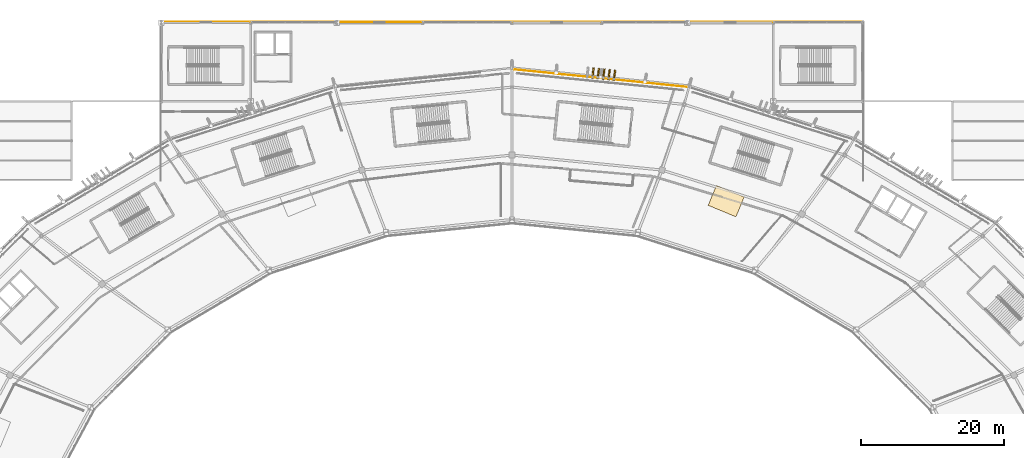
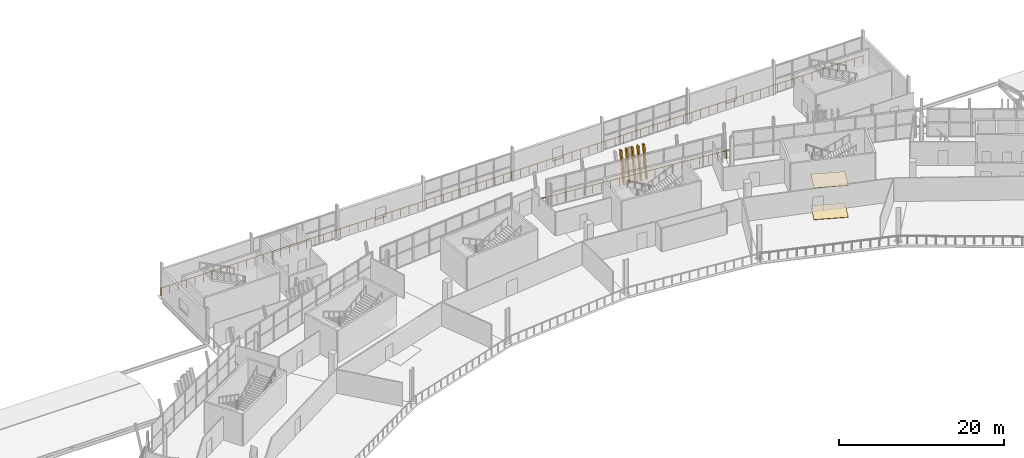
# One storey, part 177 of 179: 5 shading devices, 2 coverings, 2 railings.
"""IFC4 building model written with IfcOpenShell, lengths in metres."""

from ifc_helpers import new_model, si_unit, direction, frame, origin, origin_2d, place, context, subcontext, project, spatial, polyline, rectangle, outline, extrude, material, layer, layer_set, material_profile, profile_set, type_object, element, save


model = new_model("IFC4")

# Units and contexts
model_context = context("Model", 3, precision=1e-05, world=origin(), true_north=direction((0.0, 1.0)))
body_context = subcontext(model_context, "Body", "Model", "MODEL_VIEW")
ifc_project = project(units=[si_unit("LENGTHUNIT", "METRE"), si_unit("AREAUNIT", "SQUARE_METRE"), si_unit("VOLUMEUNIT", "CUBIC_METRE"), si_unit("PLANEANGLEUNIT", "RADIAN"), si_unit("MASSUNIT", "GRAM", prefix="KILO")], contexts=[model_context])

# Site, building, storey
site_placement = place(None, origin())
site = spatial("IfcSite", under=ifc_project, at=site_placement, CompositionType="ELEMENT")
building_placement = place(site_placement, origin())
building = spatial("IfcBuilding", under=site, at=building_placement, Name="Zlatoyarsky Gate Stadium", CompositionType="ELEMENT")
storey_placement = place(building_placement, frame((0.0, 0.0, 10.60009765625)))
storey = spatial("IfcBuildingStorey", under=building, at=storey_placement, Name="L02", CompositionType="ELEMENT", Elevation=10.60009765625)

# Railings
ifc_material_1 = material(Name="Powder-coated steel tubular guardrail", Category="steel")
railing_type = type_object("IfcRailingType", Name="CONCOURSE SLAB EDGE GUARDRAIL 1200", PredefinedType="GUARDRAIL", material=ifc_material_1)
railing_1_placement = place(storey_placement, frame((135.71630859375, 150.99169921875, 0.0)))
element("IfcRailing", 1, at=railing_1_placement, inside=storey, type_object=railing_type, Name="L02 outer slab edge guardrail 05", PredefinedType="GUARDRAIL", context=body_context, shape_type="SweptSolid", body=[
    extrude(rectangle(XDim=0.048095703125, YDim=0.048095703125, at=origin_2d()), frame((0.0, 0.0, 1.17578125), z_axis=(-0.994906741175, 0.10079968435, 0.0), x_axis=(-0.10079968435, -0.994906741175, 0.0)), (0.0, 0.0, 1.0), 24.8427734375),
    extrude(rectangle(XDim=0.0419921875, YDim=0.0419921875, at=origin_2d()), origin(), (0.0, 0.0, 1.0), 1.15185546875),
    extrude(rectangle(XDim=0.0419921875, YDim=0.0419921875, at=origin_2d()), frame((-1.177001953125, 0.119140625, 0.0)), (0.0, 0.0, 1.0), 1.15185546875),
    extrude(rectangle(XDim=0.0419921875, YDim=0.0419921875, at=origin_2d()), frame((-2.35400390625, 0.238525390625, 0.0)), (0.0, 0.0, 1.0), 1.15185546875),
    extrude(rectangle(XDim=0.0419921875, YDim=0.0419921875, at=origin_2d()), frame((-3.531005859375, 0.357666015625, 0.0)), (0.0, 0.0, 1.0), 1.15185546875),
    extrude(rectangle(XDim=0.0419921875, YDim=0.0419921875, at=origin_2d()), frame((-4.707763671875, 0.47705078125, 0.0)), (0.0, 0.0, 1.0), 1.15185546875),
    extrude(rectangle(XDim=0.0419921875, YDim=0.0419921875, at=origin_2d()), frame((-5.884765625, 0.59619140625, 0.0)), (0.0, 0.0, 1.0), 1.15185546875),
    extrude(rectangle(XDim=0.0419921875, YDim=0.0419921875, at=origin_2d()), frame((-7.061767578125, 0.715576171875, 0.0)), (0.0, 0.0, 1.0), 1.15185546875),
    extrude(rectangle(XDim=0.0419921875, YDim=0.0419921875, at=origin_2d()), frame((-8.23876953125, 0.834716796875, 0.0)), (0.0, 0.0, 1.0), 1.15185546875),
    extrude(rectangle(XDim=0.0419921875, YDim=0.0419921875, at=origin_2d()), frame((-9.415771484375, 0.953857421875, 0.0)), (0.0, 0.0, 1.0), 1.15185546875),
    extrude(rectangle(XDim=0.0419921875, YDim=0.0419921875, at=origin_2d()), frame((-10.5927734375, 1.0732421875, 0.0)), (0.0, 0.0, 1.0), 1.15185546875),
    extrude(rectangle(XDim=0.0419921875, YDim=0.0419921875, at=origin_2d()), frame((-11.769775390625, 1.1923828125, 0.0)), (0.0, 0.0, 1.0), 1.15185546875),
    extrude(rectangle(XDim=0.0419921875, YDim=0.0419921875, at=origin_2d()), frame((-12.946533203125, 1.311767578125, 0.0)), (0.0, 0.0, 1.0), 1.15185546875),
    extrude(rectangle(XDim=0.0419921875, YDim=0.0419921875, at=origin_2d()), frame((-14.12353515625, 1.430908203125, 0.0)), (0.0, 0.0, 1.0), 1.15185546875),
    extrude(rectangle(XDim=0.0419921875, YDim=0.0419921875, at=origin_2d()), frame((-15.300537109375, 1.55029296875, 0.0)), (0.0, 0.0, 1.0), 1.15185546875),
    extrude(rectangle(XDim=0.0419921875, YDim=0.0419921875, at=origin_2d()), frame((-16.4775390625, 1.66943359375, 0.0)), (0.0, 0.0, 1.0), 1.15185546875),
    extrude(rectangle(XDim=0.0419921875, YDim=0.0419921875, at=origin_2d()), frame((-17.654541015625, 1.78857421875, 0.0)), (0.0, 0.0, 1.0), 1.15185546875),
    extrude(rectangle(XDim=0.0419921875, YDim=0.0419921875, at=origin_2d()), frame((-18.83154296875, 1.907958984375, 0.0)), (0.0, 0.0, 1.0), 1.15185546875),
    extrude(rectangle(XDim=0.0419921875, YDim=0.0419921875, at=origin_2d()), frame((-20.008544921875, 2.027099609375, 0.0)), (0.0, 0.0, 1.0), 1.15185546875),
    extrude(rectangle(XDim=0.0419921875, YDim=0.0419921875, at=origin_2d()), frame((-21.185302734375, 2.146484375, 0.0)), (0.0, 0.0, 1.0), 1.15185546875),
    extrude(rectangle(XDim=0.0419921875, YDim=0.0419921875, at=origin_2d()), frame((-22.3623046875, 2.265625, 0.0)), (0.0, 0.0, 1.0), 1.15185546875),
    extrude(rectangle(XDim=0.0419921875, YDim=0.0419921875, at=origin_2d()), frame((-23.539306640625, 2.385009765625, 0.0)), (0.0, 0.0, 1.0), 1.15185546875),
    extrude(rectangle(XDim=0.0419921875, YDim=0.0419921875, at=origin_2d()), frame((-24.71630859375, 2.504150390625, 0.0)), (0.0, 0.0, 1.0), 1.15185546875),
])
railing_2_placement = place(storey_placement, frame((61.919921875, 160.080078125, 0.0)))
element("IfcRailing", 2, at=railing_2_placement, inside=storey, type_object=railing_type, Name="V2_NORTH L02 N slab edge guardrail", PredefinedType="GUARDRAIL", context=body_context, shape_type="SweptSolid", body=[
    extrude(rectangle(XDim=0.048095703125, YDim=0.048095703125, at=origin_2d()), frame((0.0, 0.0, 1.17578125), z_axis=(1.0, 0.0, 0.0), x_axis=(0.0, 1.0, 0.0)), (0.0, 0.0, 1.0), 98.16015625),
    extrude(rectangle(XDim=0.0419921875, YDim=0.0419921875, at=origin_2d()), origin(), (0.0, 0.0, 1.0), 1.15185546875),
    extrude(rectangle(XDim=0.0419921875, YDim=0.0419921875, at=origin_2d()), frame((1.197021484375, 0.0, 0.0)), (0.0, 0.0, 1.0), 1.15185546875),
    extrude(rectangle(XDim=0.0419921875, YDim=0.0419921875, at=origin_2d()), frame((2.39404296875, 0.0, 0.0)), (0.0, 0.0, 1.0), 1.15185546875),
    extrude(rectangle(XDim=0.0419921875, YDim=0.0419921875, at=origin_2d()), frame((3.59130859375, 0.0, 0.0)), (0.0, 0.0, 1.0), 1.15185546875),
    extrude(rectangle(XDim=0.0419921875, YDim=0.0419921875, at=origin_2d()), frame((4.788330078125, 0.0, 0.0)), (0.0, 0.0, 1.0), 1.15185546875),
    extrude(rectangle(XDim=0.0419921875, YDim=0.0419921875, at=origin_2d()), frame((5.9853515625, 0.0, 0.0)), (0.0, 0.0, 1.0), 1.15185546875),
    extrude(rectangle(XDim=0.0419921875, YDim=0.0419921875, at=origin_2d()), frame((7.182373046875, 0.0, 0.0)), (0.0, 0.0, 1.0), 1.15185546875),
    extrude(rectangle(XDim=0.0419921875, YDim=0.0419921875, at=origin_2d()), frame((8.379638671875, 0.0, 0.0)), (0.0, 0.0, 1.0), 1.15185546875),
    extrude(rectangle(XDim=0.0419921875, YDim=0.0419921875, at=origin_2d()), frame((9.57666015625, 0.0, 0.0)), (0.0, 0.0, 1.0), 1.15185546875),
    extrude(rectangle(XDim=0.0419921875, YDim=0.0419921875, at=origin_2d()), frame((10.773681640625, 0.0, 0.0)), (0.0, 0.0, 1.0), 1.15185546875),
    extrude(rectangle(XDim=0.0419921875, YDim=0.0419921875, at=origin_2d()), frame((11.970703125, 0.0, 0.0)), (0.0, 0.0, 1.0), 1.15185546875),
    extrude(rectangle(XDim=0.0419921875, YDim=0.0419921875, at=origin_2d()), frame((13.167724609375, 0.0, 0.0)), (0.0, 0.0, 1.0), 1.15185546875),
    extrude(rectangle(XDim=0.0419921875, YDim=0.0419921875, at=origin_2d()), frame((14.364990234375, 0.0, 0.0)), (0.0, 0.0, 1.0), 1.15185546875),
    extrude(rectangle(XDim=0.0419921875, YDim=0.0419921875, at=origin_2d()), frame((15.56201171875, 0.0, 0.0)), (0.0, 0.0, 1.0), 1.15185546875),
    extrude(rectangle(XDim=0.0419921875, YDim=0.0419921875, at=origin_2d()), frame((16.759033203125, 0.0, 0.0)), (0.0, 0.0, 1.0), 1.15185546875),
    extrude(rectangle(XDim=0.0419921875, YDim=0.0419921875, at=origin_2d()), frame((17.9560546875, 0.0, 0.0)), (0.0, 0.0, 1.0), 1.15185546875),
    extrude(rectangle(XDim=0.0419921875, YDim=0.0419921875, at=origin_2d()), frame((19.1533203125, 0.0, 0.0)), (0.0, 0.0, 1.0), 1.15185546875),
    extrude(rectangle(XDim=0.0419921875, YDim=0.0419921875, at=origin_2d()), frame((20.350341796875, 0.0, 0.0)), (0.0, 0.0, 1.0), 1.15185546875),
    extrude(rectangle(XDim=0.0419921875, YDim=0.0419921875, at=origin_2d()), frame((21.54736328125, 0.0, 0.0)), (0.0, 0.0, 1.0), 1.15185546875),
    extrude(rectangle(XDim=0.0419921875, YDim=0.0419921875, at=origin_2d()), frame((22.744384765625, 0.0, 0.0)), (0.0, 0.0, 1.0), 1.15185546875),
    extrude(rectangle(XDim=0.0419921875, YDim=0.0419921875, at=origin_2d()), frame((23.94140625, 0.0, 0.0)), (0.0, 0.0, 1.0), 1.15185546875),
    extrude(rectangle(XDim=0.0419921875, YDim=0.0419921875, at=origin_2d()), frame((25.138671875, 0.0, 0.0)), (0.0, 0.0, 1.0), 1.15185546875),
    extrude(rectangle(XDim=0.0419921875, YDim=0.0419921875, at=origin_2d()), frame((26.335693359375, 0.0, 0.0)), (0.0, 0.0, 1.0), 1.15185546875),
    extrude(rectangle(XDim=0.0419921875, YDim=0.0419921875, at=origin_2d()), frame((27.53271484375, 0.0, 0.0)), (0.0, 0.0, 1.0), 1.15185546875),
    extrude(rectangle(XDim=0.0419921875, YDim=0.0419921875, at=origin_2d()), frame((28.729736328125, 0.0, 0.0)), (0.0, 0.0, 1.0), 1.15185546875),
    extrude(rectangle(XDim=0.0419921875, YDim=0.0419921875, at=origin_2d()), frame((29.9267578125, 0.0, 0.0)), (0.0, 0.0, 1.0), 1.15185546875),
    extrude(rectangle(XDim=0.0419921875, YDim=0.0419921875, at=origin_2d()), frame((31.1240234375, 0.0, 0.0)), (0.0, 0.0, 1.0), 1.15185546875),
    extrude(rectangle(XDim=0.0419921875, YDim=0.0419921875, at=origin_2d()), frame((32.321044921875, 0.0, 0.0)), (0.0, 0.0, 1.0), 1.15185546875),
    extrude(rectangle(XDim=0.0419921875, YDim=0.0419921875, at=origin_2d()), frame((33.51806640625, 0.0, 0.0)), (0.0, 0.0, 1.0), 1.15185546875),
    extrude(rectangle(XDim=0.0419921875, YDim=0.0419921875, at=origin_2d()), frame((34.715087890625, 0.0, 0.0)), (0.0, 0.0, 1.0), 1.15185546875),
    extrude(rectangle(XDim=0.0419921875, YDim=0.0419921875, at=origin_2d()), frame((35.912353515625, 0.0, 0.0)), (0.0, 0.0, 1.0), 1.15185546875),
    extrude(rectangle(XDim=0.0419921875, YDim=0.0419921875, at=origin_2d()), frame((37.109375, 0.0, 0.0)), (0.0, 0.0, 1.0), 1.15185546875),
    extrude(rectangle(XDim=0.0419921875, YDim=0.0419921875, at=origin_2d()), frame((38.306396484375, 0.0, 0.0)), (0.0, 0.0, 1.0), 1.15185546875),
    extrude(rectangle(XDim=0.0419921875, YDim=0.0419921875, at=origin_2d()), frame((39.50341796875, 0.0, 0.0)), (0.0, 0.0, 1.0), 1.15185546875),
    extrude(rectangle(XDim=0.0419921875, YDim=0.0419921875, at=origin_2d()), frame((40.700439453125, 0.0, 0.0)), (0.0, 0.0, 1.0), 1.15185546875),
    extrude(rectangle(XDim=0.0419921875, YDim=0.0419921875, at=origin_2d()), frame((41.897705078125, 0.0, 0.0)), (0.0, 0.0, 1.0), 1.15185546875),
    extrude(rectangle(XDim=0.0419921875, YDim=0.0419921875, at=origin_2d()), frame((43.0947265625, 0.0, 0.0)), (0.0, 0.0, 1.0), 1.15185546875),
    extrude(rectangle(XDim=0.0419921875, YDim=0.0419921875, at=origin_2d()), frame((44.291748046875, 0.0, 0.0)), (0.0, 0.0, 1.0), 1.15185546875),
    extrude(rectangle(XDim=0.0419921875, YDim=0.0419921875, at=origin_2d()), frame((45.48876953125, 0.0, 0.0)), (0.0, 0.0, 1.0), 1.15185546875),
    extrude(rectangle(XDim=0.0419921875, YDim=0.0419921875, at=origin_2d()), frame((46.68603515625, 0.0, 0.0)), (0.0, 0.0, 1.0), 1.15185546875),
    extrude(rectangle(XDim=0.0419921875, YDim=0.0419921875, at=origin_2d()), frame((47.883056640625, 0.0, 0.0)), (0.0, 0.0, 1.0), 1.15185546875),
    extrude(rectangle(XDim=0.0419921875, YDim=0.0419921875, at=origin_2d()), frame((49.080078125, 0.0, 0.0)), (0.0, 0.0, 1.0), 1.15185546875),
    extrude(rectangle(XDim=0.0419921875, YDim=0.0419921875, at=origin_2d()), frame((50.277099609375, 0.0, 0.0)), (0.0, 0.0, 1.0), 1.15185546875),
    extrude(rectangle(XDim=0.0419921875, YDim=0.0419921875, at=origin_2d()), frame((51.47412109375, 0.0, 0.0)), (0.0, 0.0, 1.0), 1.15185546875),
    extrude(rectangle(XDim=0.0419921875, YDim=0.0419921875, at=origin_2d()), frame((52.67138671875, 0.0, 0.0)), (0.0, 0.0, 1.0), 1.15185546875),
    extrude(rectangle(XDim=0.0419921875, YDim=0.0419921875, at=origin_2d()), frame((53.868408203125, 0.0, 0.0)), (0.0, 0.0, 1.0), 1.15185546875),
    extrude(rectangle(XDim=0.0419921875, YDim=0.0419921875, at=origin_2d()), frame((55.0654296875, 0.0, 0.0)), (0.0, 0.0, 1.0), 1.15185546875),
    extrude(rectangle(XDim=0.0419921875, YDim=0.0419921875, at=origin_2d()), frame((56.262451171875, 0.0, 0.0)), (0.0, 0.0, 1.0), 1.15185546875),
    extrude(rectangle(XDim=0.0419921875, YDim=0.0419921875, at=origin_2d()), frame((57.459716796875, 0.0, 0.0)), (0.0, 0.0, 1.0), 1.15185546875),
    extrude(rectangle(XDim=0.0419921875, YDim=0.0419921875, at=origin_2d()), frame((58.65673828125, 0.0, 0.0)), (0.0, 0.0, 1.0), 1.15185546875),
    extrude(rectangle(XDim=0.0419921875, YDim=0.0419921875, at=origin_2d()), frame((59.853759765625, 0.0, 0.0)), (0.0, 0.0, 1.0), 1.15185546875),
    extrude(rectangle(XDim=0.0419921875, YDim=0.0419921875, at=origin_2d()), frame((61.05078125, 0.0, 0.0)), (0.0, 0.0, 1.0), 1.15185546875),
    extrude(rectangle(XDim=0.0419921875, YDim=0.0419921875, at=origin_2d()), frame((62.247802734375, 0.0, 0.0)), (0.0, 0.0, 1.0), 1.15185546875),
    extrude(rectangle(XDim=0.0419921875, YDim=0.0419921875, at=origin_2d()), frame((63.445068359375, 0.0, 0.0)), (0.0, 0.0, 1.0), 1.15185546875),
    extrude(rectangle(XDim=0.0419921875, YDim=0.0419921875, at=origin_2d()), frame((64.64208984375, 0.0, 0.0)), (0.0, 0.0, 1.0), 1.15185546875),
    extrude(rectangle(XDim=0.0419921875, YDim=0.0419921875, at=origin_2d()), frame((65.839111328125, 0.0, 0.0)), (0.0, 0.0, 1.0), 1.15185546875),
    extrude(rectangle(XDim=0.0419921875, YDim=0.0419921875, at=origin_2d()), frame((67.0361328125, 0.0, 0.0)), (0.0, 0.0, 1.0), 1.15185546875),
    extrude(rectangle(XDim=0.0419921875, YDim=0.0419921875, at=origin_2d()), frame((68.2333984375, 0.0, 0.0)), (0.0, 0.0, 1.0), 1.15185546875),
    extrude(rectangle(XDim=0.0419921875, YDim=0.0419921875, at=origin_2d()), frame((69.430419921875, 0.0, 0.0)), (0.0, 0.0, 1.0), 1.15185546875),
    extrude(rectangle(XDim=0.0419921875, YDim=0.0419921875, at=origin_2d()), frame((70.62744140625, 0.0, 0.0)), (0.0, 0.0, 1.0), 1.15185546875),
    extrude(rectangle(XDim=0.0419921875, YDim=0.0419921875, at=origin_2d()), frame((71.824462890625, 0.0, 0.0)), (0.0, 0.0, 1.0), 1.15185546875),
    extrude(rectangle(XDim=0.0419921875, YDim=0.0419921875, at=origin_2d()), frame((73.021484375, 0.0, 0.0)), (0.0, 0.0, 1.0), 1.15185546875),
    extrude(rectangle(XDim=0.0419921875, YDim=0.0419921875, at=origin_2d()), frame((74.21875, 0.0, 0.0)), (0.0, 0.0, 1.0), 1.15185546875),
    extrude(rectangle(XDim=0.0419921875, YDim=0.0419921875, at=origin_2d()), frame((75.415771484375, 0.0, 0.0)), (0.0, 0.0, 1.0), 1.15185546875),
    extrude(rectangle(XDim=0.0419921875, YDim=0.0419921875, at=origin_2d()), frame((76.61279296875, 0.0, 0.0)), (0.0, 0.0, 1.0), 1.15185546875),
    extrude(rectangle(XDim=0.0419921875, YDim=0.0419921875, at=origin_2d()), frame((77.809814453125, 0.0, 0.0)), (0.0, 0.0, 1.0), 1.15185546875),
    extrude(rectangle(XDim=0.0419921875, YDim=0.0419921875, at=origin_2d()), frame((79.0068359375, 0.0, 0.0)), (0.0, 0.0, 1.0), 1.15185546875),
    extrude(rectangle(XDim=0.0419921875, YDim=0.0419921875, at=origin_2d()), frame((80.2041015625, 0.0, 0.0)), (0.0, 0.0, 1.0), 1.15185546875),
    extrude(rectangle(XDim=0.0419921875, YDim=0.0419921875, at=origin_2d()), frame((81.401123046875, 0.0, 0.0)), (0.0, 0.0, 1.0), 1.15185546875),
    extrude(rectangle(XDim=0.0419921875, YDim=0.0419921875, at=origin_2d()), frame((82.59814453125, 0.0, 0.0)), (0.0, 0.0, 1.0), 1.15185546875),
    extrude(rectangle(XDim=0.0419921875, YDim=0.0419921875, at=origin_2d()), frame((83.795166015625, 0.0, 0.0)), (0.0, 0.0, 1.0), 1.15185546875),
    extrude(rectangle(XDim=0.0419921875, YDim=0.0419921875, at=origin_2d()), frame((84.992431640625, 0.0, 0.0)), (0.0, 0.0, 1.0), 1.15185546875),
    extrude(rectangle(XDim=0.0419921875, YDim=0.0419921875, at=origin_2d()), frame((86.189453125, 0.0, 0.0)), (0.0, 0.0, 1.0), 1.15185546875),
    extrude(rectangle(XDim=0.0419921875, YDim=0.0419921875, at=origin_2d()), frame((87.386474609375, 0.0, 0.0)), (0.0, 0.0, 1.0), 1.15185546875),
    extrude(rectangle(XDim=0.0419921875, YDim=0.0419921875, at=origin_2d()), frame((88.58349609375, 0.0, 0.0)), (0.0, 0.0, 1.0), 1.15185546875),
    extrude(rectangle(XDim=0.0419921875, YDim=0.0419921875, at=origin_2d()), frame((89.780517578125, 0.0, 0.0)), (0.0, 0.0, 1.0), 1.15185546875),
    extrude(rectangle(XDim=0.0419921875, YDim=0.0419921875, at=origin_2d()), frame((90.977783203125, 0.0, 0.0)), (0.0, 0.0, 1.0), 1.15185546875),
    extrude(rectangle(XDim=0.0419921875, YDim=0.0419921875, at=origin_2d()), frame((92.1748046875, 0.0, 0.0)), (0.0, 0.0, 1.0), 1.15185546875),
    extrude(rectangle(XDim=0.0419921875, YDim=0.0419921875, at=origin_2d()), frame((93.371826171875, 0.0, 0.0)), (0.0, 0.0, 1.0), 1.15185546875),
    extrude(rectangle(XDim=0.0419921875, YDim=0.0419921875, at=origin_2d()), frame((94.56884765625, 0.0, 0.0)), (0.0, 0.0, 1.0), 1.15185546875),
    extrude(rectangle(XDim=0.0419921875, YDim=0.0419921875, at=origin_2d()), frame((95.76611328125, 0.0, 0.0)), (0.0, 0.0, 1.0), 1.15185546875),
    extrude(rectangle(XDim=0.0419921875, YDim=0.0419921875, at=origin_2d()), frame((96.963134765625, 0.0, 0.0)), (0.0, 0.0, 1.0), 1.15185546875),
    extrude(rectangle(XDim=0.0419921875, YDim=0.0419921875, at=origin_2d()), frame((98.16015625, 0.0, 0.0)), (0.0, 0.0, 1.0), 1.15185546875),
])

# Coverings
ifc_material_2 = material(Name="Perforated anodised aluminium acoustic ceiling", Category="aluminium")
ifc_layer_1 = layer(ifc_material_2, 0.050048828125)
ifc_layer_set_1 = layer_set([ifc_layer_1], Name="Perforated anodised aluminium acoustic ceiling")
covering_type_1 = type_object("IfcCoveringType", Name="PERFORATED ACOUSTIC BAFFLE CEILING 50", PredefinedType="CEILING", material=ifc_layer_set_1)
covering_1_placement = place(storey_placement, frame((0.0, 0.0, 4.669921875)))
element("IfcCovering", 3, at=covering_1_placement, inside=storey, type_object=covering_type_1, Name="L02 hospitality acoustic ceiling 02", PredefinedType="CEILING", context=body_context, shape_type="SweptSolid", body=[
    extrude(outline(polyline([(142.2919921875, 132.87353515625), (138.411865234375, 134.480712890625), (139.559814453125, 137.25244140625), (143.440185546875, 135.645263671875), (142.2919921875, 132.87353515625)])), origin(), (0.0, 0.0, 1.0), 0.050048828125),
])
ifc_material_3 = material(Name="Polished granite stone flooring", Category="masonry")
ifc_layer_2 = layer(ifc_material_3, 0.0400390625)
ifc_layer_set_2 = layer_set([ifc_layer_2], Name="Polished granite stone flooring")
covering_type_2 = type_object("IfcCoveringType", Name="POLISHED GRANITE CONCOURSE FLOORING 40", PredefinedType="FLOORING", material=ifc_layer_set_2)
covering_2_placement = place(storey_placement, origin())
element("IfcCovering", 4, at=covering_2_placement, inside=storey, type_object=covering_type_2, Name="L02 hospitality concourse granite flooring 02", PredefinedType="FLOORING", context=body_context, shape_type="SweptSolid", body=[
    extrude(outline(polyline([(142.2919921875, 132.87353515625), (138.411865234375, 134.480712890625), (139.559814453125, 137.25244140625), (143.440185546875, 135.645263671875), (142.2919921875, 132.87353515625)])), origin(), (0.0, 0.0, 1.0), 0.039794921875),
])

# Shading devices
ifc_material_4 = material(Name="Precast concrete C40/50 stone-toned architectural rib", Category="masonry")
ifc_material_profile = material_profile(ifc_material_4, rectangle(XDim=0.199951171875, YDim=0.47998046875, at=origin_2d()), Name="RIB 200X480")
ifc_profile_set = profile_set([ifc_material_profile], Name="Precast concrete C40/50 stone-toned architectural rib")
shading_device_type = type_object("IfcShadingDeviceType", Name="PRECAST FLUTED GATE LOUVRE BLADE 200X480", PredefinedType="SHUTTER", material=ifc_profile_set)
for number, where, z_axis, x_axis, name in (
    (5, (125.236328125, 152.153076171875, -0.010009765625), (0.033320049533, 0.218998284094, 0.975156154604), (-0.988622715282, 0.150416511158, 0.0), "Leaning bowl louvre fin L02-05-1"),
    (6, (124.490234375, 152.228515625, -0.010009765625), (0.031513231593, 0.219264070072, 0.975156491959), (-0.989829187358, 0.142260956884, 0.0), "Leaning bowl louvre fin L02-05-2"),
    (7, (123.744140625, 152.30419921875, -0.010009765625), (0.02975975533, 0.219478195556, 0.975163411249), (-0.99093208818, 0.134363672974, 0.0), "Leaning bowl louvre fin L02-05-3"),
    (8, (122.997802734375, 152.3798828125, -0.010009765625), (0.028059267616, 0.21969131122, 0.975165834756), (-0.991942082358, 0.126692167268, 0.0), "Leaning bowl louvre fin L02-05-4"),
    (9, (122.251708984375, 152.45556640625, -0.010009765625), (0.026305588314, 0.219904089787, 0.975166758723), (-0.992921051262, 0.118776201154, 0.0), "Leaning bowl louvre fin L02-05-5"),
):
    element("IfcShadingDevice", number, at=place(storey_placement, frame(where, z_axis=z_axis, x_axis=x_axis)), inside=storey, type_object=shading_device_type, Name=name, PredefinedType="SHUTTER", context=body_context, shape_type="SweptSolid", body=[
        extrude(rectangle(XDim=0.199951171875, YDim=0.47998046875, at=origin_2d()), origin(), (0.0, 0.0, 1.0), 4.593994140625),
    ])

save(model, "model.ifc")
